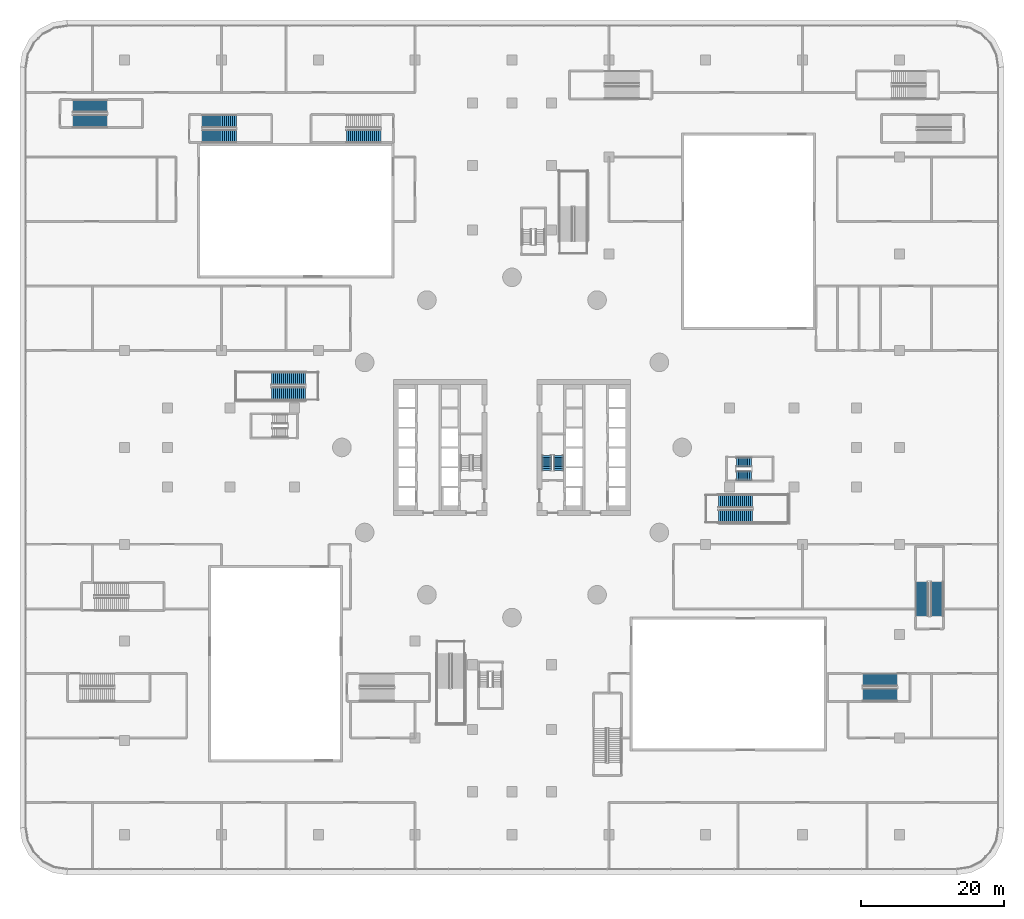
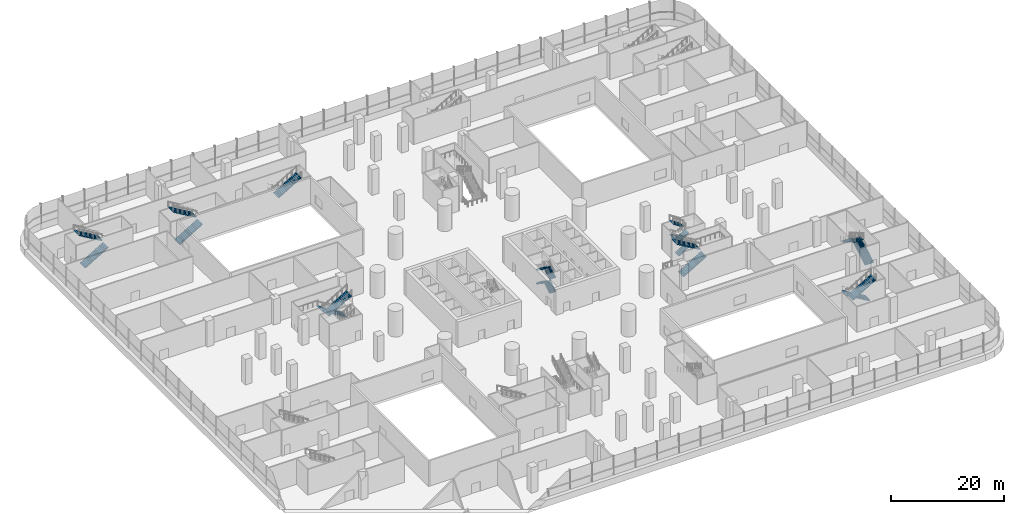
# One storey, part 37 of 52: 21 stair flights, 9 elements without a shape of their own.
"""IFC4 building model written with IfcOpenShell, lengths in metres."""

import ifcopenshell
import ifcopenshell.guid

model = None  # the IFC model being written
_history = None  # IfcOwnerHistory: only IFC2X3 demands one
_inside = {}  # id of a spatial element -> (the spatial element, [elements in it])
_under = {}  # id of a project, library or spatial element -> (it, [spatial elements below it])
_declared = {}  # id of a project -> (the project, [libraries it declares])
_typed = {}  # id of a type object -> (the type object, [elements of that type])
_made_of = {}  # id of a material, layer set ... -> (it, [elements and type objects made of it])


def new_model(schema):
    """Start an empty IFC model of exactly this schema.

    Asked for "IFC4X3", IfcOpenShell would pick the latest addendum, in which some entities
    have other attributes; the version numbers below select the first issue.
    IFC2X3 requires an IfcOwnerHistory on every rooted entity: one is made here for all.
    """
    global model, _history
    if schema == "IFC4X3":
        model = ifcopenshell.file(schema_version=(4, 3, 0, 0))
    else:
        model = ifcopenshell.file(schema=schema)
    _inside.clear()
    _under.clear()
    _declared.clear()
    _typed.clear()
    _made_of.clear()
    _history = None
    if model.schema == "IFC2X3":
        org = make("IfcOrganization", Name="unknown")
        user = make(
            "IfcPersonAndOrganization",
            ThePerson=make("IfcPerson", FamilyName="unknown"),
            TheOrganization=org,
        )
        app = make(
            "IfcApplication",
            ApplicationDeveloper=org,
            Version="unknown",
            ApplicationFullName="unknown",
            ApplicationIdentifier="unknown",
        )
        _history = make(
            "IfcOwnerHistory",
            OwningUser=user,
            OwningApplication=app,
            ChangeAction="ADDED",
            CreationDate=0,
        )
    return model


def make(cls, **values):
    """One entity of the class cls with the attributes given. An attribute that is None is left unset."""
    return model.create_entity(
        cls, **{name: value for name, value in values.items() if value is not None}
    )


def rooted(cls, **values):
    """An entity with a GlobalId (a new one), such as an element, a storey or a relation."""
    return make(cls, GlobalId=ifcopenshell.guid.new(), OwnerHistory=_history, **values)


def si_unit(unit_type, name, prefix=None):
    """IfcSIUnit, for example si_unit("LENGTHUNIT", "METRE", prefix="MILLI")."""
    return make("IfcSIUnit", UnitType=unit_type, Prefix=prefix, Name=name)


def assignment(units):
    """IfcUnitAssignment: the units of a project."""
    return None if units is None else make("IfcUnitAssignment", Units=units)


def point(xyz):
    """IfcCartesianPoint."""
    return None if xyz is None else make("IfcCartesianPoint", Coordinates=xyz)


def direction(xyz):
    """IfcDirection."""
    return None if xyz is None else make("IfcDirection", DirectionRatios=xyz)


def frame(location, z_axis=None, x_axis=None):
    """IfcAxis2Placement3D, a coordinate frame: its origin and axes. An axis left out is left unset."""
    return make(
        "IfcAxis2Placement3D",
        Location=point(location),
        Axis=direction(z_axis),
        RefDirection=direction(x_axis),
    )


def origin():
    """The frame at (0, 0, 0) with its axes left unset."""
    return frame((0.0, 0.0, 0.0))


def place(relative_to, where):
    """IfcLocalPlacement: puts the frame where relative to a parent placement (None: the world)."""
    return make(
        "IfcLocalPlacement", PlacementRelTo=relative_to, RelativePlacement=where
    )


def context(
    kind, dimensions, precision=None, world=None, true_north=None, identifier=None
):
    """IfcGeometricRepresentationContext, for example the 3D "Model" context."""
    return make(
        "IfcGeometricRepresentationContext",
        ContextIdentifier=identifier,
        ContextType=kind,
        CoordinateSpaceDimension=dimensions,
        Precision=precision,
        WorldCoordinateSystem=world,
        TrueNorth=true_north,
    )


def subcontext(parent, identifier, kind, view, scale=None):
    """IfcGeometricRepresentationSubContext, for example "Body" below "Model"."""
    return make(
        "IfcGeometricRepresentationSubContext",
        ContextIdentifier=identifier,
        ContextType=kind,
        ParentContext=parent,
        TargetScale=scale,
        TargetView=view,
    )


def project(units=None, contexts=None):
    """IfcProject with its units and contexts."""
    return rooted(
        "IfcProject",
        Name="project",
        RepresentationContexts=contexts,
        UnitsInContext=assignment(units),
    )


def spatial(cls, under=None, at=None, **own):
    """A site, building, storey or space (cls), placed at a placement, below another one or the project."""
    s = rooted(cls, ObjectPlacement=at, **own)
    if under is not None:
        _under.setdefault(under.id(), (under, []))[1].append(s)
    return s


def polyline(points):
    """IfcPolyline through the points."""
    return make("IfcPolyline", Points=[point(p) for p in points])


def outline(outer, holes=None, kind="AREA"):
    """IfcArbitraryClosedProfileDef: a profile drawn as a closed curve; with holes, ...WithVoids."""
    if holes is None:
        return make("IfcArbitraryClosedProfileDef", ProfileType=kind, OuterCurve=outer)
    return make(
        "IfcArbitraryProfileDefWithVoids",
        ProfileType=kind,
        OuterCurve=outer,
        InnerCurves=holes,
    )


def extrude(swept, where, along, depth):
    """IfcExtrudedAreaSolid: the profile swept, set in the frame where, extruded along a direction by depth."""
    return make(
        "IfcExtrudedAreaSolid",
        SweptArea=swept,
        Position=where,
        ExtrudedDirection=direction(along),
        Depth=depth,
    )


def shape(context_of_items, identifier, shape_type, items):
    """IfcShapeRepresentation: the items that make up one representation, for example the "Body"."""
    return make(
        "IfcShapeRepresentation",
        ContextOfItems=context_of_items,
        RepresentationIdentifier=identifier,
        RepresentationType=shape_type,
        Items=items,
    )


def material(Name=None, Category=None):
    """IfcMaterial."""
    return make("IfcMaterial", Name=Name, Category=Category)


def made_of(thing, what):
    """Note that an element or type object is made of a material, layer set ...; save() writes the relation."""
    if what is not None:
        _made_of.setdefault(what.id(), (what, []))[1].append(thing)
    return thing


def type_object(cls, material=None, **own):
    """A type object (cls), such as IfcWallType, which elements share."""
    return made_of(rooted(cls, **own), material)


def element(
    cls,
    number,
    at=None,
    inside=None,
    cuts=None,
    type_object=None,
    material=None,
    context=None,
    identifier="Body",
    shape_type=None,
    held_by="IfcProductDefinitionShape",
    body=None,
    shapes=None,
    **own,
):
    """One element of the class cls, such as IfcWall. Its Tag is "e" and its number.

    at: its placement. inside: the storey or other place that contains it. cuts: it is an
    opening in that element (IfcRelVoidsElement). A single representation is given by context,
    identifier, shape_type and body (its items); several are given by shapes. held_by: the class
    of the entity that holds the representations. save() writes the other relations.
    """
    e = rooted(cls, Tag="e%d" % number, ObjectPlacement=at, **own)
    if body is not None:
        shapes = [shape(context, identifier, shape_type, body)]
    if shapes is not None:
        e.Representation = make(held_by, Representations=shapes)
    if inside is not None:
        _inside.setdefault(inside.id(), (inside, []))[1].append(e)
    if cuts is not None:
        rooted(
            "IfcRelVoidsElement", RelatingBuildingElement=cuts, RelatedOpeningElement=e
        )
    if type_object is not None:
        _typed.setdefault(type_object.id(), (type_object, []))[1].append(e)
    return made_of(e, material)


def aggregate(whole, parts):
    """IfcRelAggregates: a whole, such as a stair, and the parts it consists of."""
    return rooted("IfcRelAggregates", RelatingObject=whole, RelatedObjects=parts)


def save(model, path):
    """Write the relations noted so far, then the file.

    IfcRelAggregates (storeys below a building ...), IfcRelContainedInSpatialStructure (elements
    in a storey), IfcRelDefinesByType, IfcRelAssociatesMaterial and IfcRelDeclares: one each for
    every whole, place, type object, material and project.
    """
    for whole, parts in _under.values():
        aggregate(whole, parts)
    for where, things in _inside.values():
        rooted(
            "IfcRelContainedInSpatialStructure",
            RelatedElements=things,
            RelatingStructure=where,
        )
    for kind, things in _typed.values():
        rooted("IfcRelDefinesByType", RelatedObjects=things, RelatingType=kind)
    for what, things in _made_of.values():
        rooted("IfcRelAssociatesMaterial", RelatedObjects=things, RelatingMaterial=what)
    for by, libraries in _declared.values():
        rooted("IfcRelDeclares", RelatingContext=by, RelatedDefinitions=libraries)
    model.write(path)


model = new_model("IFC4")

# Units and contexts
model_context = context("Model", 3, precision=1e-05, world=origin(), true_north=direction((0.0, 1.0)))
body_context = subcontext(model_context, "Body", "Model", "MODEL_VIEW")
ifc_project = project(units=[si_unit("LENGTHUNIT", "METRE"), si_unit("AREAUNIT", "SQUARE_METRE"), si_unit("VOLUMEUNIT", "CUBIC_METRE"), si_unit("PLANEANGLEUNIT", "RADIAN"), si_unit("MASSUNIT", "GRAM", prefix="KILO")], contexts=[model_context])

# Site, building, storey
site_placement = place(None, origin())
site = spatial("IfcSite", under=ifc_project, at=site_placement, CompositionType="ELEMENT")
building_placement = place(site_placement, origin())
building = spatial("IfcBuilding", under=site, at=building_placement, Name="Tamarind Cross Interchange Tower", CompositionType="ELEMENT")
storey_placement = place(building_placement, frame((0.0, 0.0, 9.0)))
storey = spatial("IfcBuildingStorey", under=building, at=storey_placement, Name="L01", CompositionType="ELEMENT", Elevation=9.0)

# Stair, stair flights
ifc_material_1 = material(Name="Exit stair")
stair_type_1 = type_object("IfcStairType", Name="Exit stair", PredefinedType="HALF_TURN_STAIR", material=ifc_material_1)
stair_1_placement = place(storey_placement, origin())
stair_1 = element("IfcStair", 1, at=stair_1_placement, inside=storey, type_object=stair_type_1, Name="L01 exit stair ST2", PredefinedType="HALF_TURN_STAIR")
ifc_material_2 = material(Name="Exit stair flight")
stair_flight_type_1 = type_object("IfcStairFlightType", Name="Exit stair flight", PredefinedType="STRAIGHT", material=ifc_material_2)
stair_flight_1_placement = place(storey_placement, frame((6.5, -3.199951171875, 0.0), z_axis=(0.0, 0.0, 1.0), x_axis=(0.0, 1.0, 0.0)))
stair_flight_1 = element("IfcStairFlight", 2, at=stair_flight_1_placement, type_object=stair_flight_type_1, Name="ST2 flight 1", NumberOfRisers=9, NumberOfTreads=8, PredefinedType="STRAIGHT", RiserHeight=0.166666667, TreadLength=0.26, context=body_context, shape_type="SweptSolid", body=[
    extrude(outline(polyline([(0.0, 0.0), (0.0, 0.166748046875), (0.260009765625, 0.166748046875), (0.260009765625, 0.333251953125), (0.52001953125, 0.333251953125), (0.52001953125, 0.5), (0.780029296875, 0.5), (0.780029296875, 0.666748046875), (1.0400390625, 0.666748046875), (1.0400390625, 0.833251953125), (1.300048828125, 0.833251953125), (1.300048828125, 1.0), (1.56005859375, 1.0), (1.56005859375, 1.166748046875), (1.820068359375, 1.166748046875), (1.820068359375, 1.333251953125), (2.080078125, 1.333251953125), (2.080078125, 1.5), (2.080078125, 1.1552734375), (0.27783203125, 0.0), (0.0, 0.0)])), frame((0.0, 0.64990234375, 0.0), z_axis=(0.0, -1.0, 0.0), x_axis=(1.0, 0.0, 0.0)), (0.0, 0.0, 1.0), 1.300048828125),
])
stair_flight_2_placement = place(storey_placement, frame((4.85009765625, -1.1201171875, 1.5), z_axis=(0.0, 0.0, 1.0), x_axis=(0.0, -1.0, 0.0)))
stair_flight_2 = element("IfcStairFlight", 3, at=stair_flight_2_placement, type_object=stair_flight_type_1, Name="ST2 flight 2", NumberOfRisers=9, NumberOfTreads=8, PredefinedType="STRAIGHT", RiserHeight=0.166666667, TreadLength=0.26, context=body_context, shape_type="SweptSolid", body=[
    extrude(outline(polyline([(0.0, 0.0), (0.0, 0.166748046875), (0.260009765625, 0.166748046875), (0.260009765625, 0.333251953125), (0.52001953125, 0.333251953125), (0.52001953125, 0.5), (0.780029296875, 0.5), (0.780029296875, 0.666748046875), (1.0400390625, 0.666748046875), (1.0400390625, 0.833251953125), (1.300048828125, 0.833251953125), (1.300048828125, 1.0), (1.56005859375, 1.0), (1.56005859375, 1.166748046875), (1.820068359375, 1.166748046875), (1.820068359375, 1.333251953125), (2.080078125, 1.333251953125), (2.080078125, 1.5), (2.080078125, 1.1552734375), (0.27783203125, 0.0), (0.0, 0.0)])), frame((0.0, 0.64990234375, 0.0), z_axis=(0.0, -1.0, 0.0), x_axis=(1.0, 0.0, 0.0)), (0.0, 0.0, 1.0), 1.300048828125),
])
stair_flight_3_placement = place(storey_placement, frame((6.5, -3.199951171875, 3.0), z_axis=(0.0, 0.0, 1.0), x_axis=(0.0, 1.0, 0.0)))
stair_flight_3 = element("IfcStairFlight", 4, at=stair_flight_3_placement, type_object=stair_flight_type_1, Name="ST2 flight 3", NumberOfRisers=9, NumberOfTreads=8, PredefinedType="STRAIGHT", RiserHeight=0.166666667, TreadLength=0.26, context=body_context, shape_type="SweptSolid", body=[
    extrude(outline(polyline([(0.0, 0.0), (0.0, 0.166748046875), (0.260009765625, 0.166748046875), (0.260009765625, 0.333251953125), (0.52001953125, 0.333251953125), (0.52001953125, 0.5), (0.780029296875, 0.5), (0.780029296875, 0.666748046875), (1.0400390625, 0.666748046875), (1.0400390625, 0.833251953125), (1.300048828125, 0.833251953125), (1.300048828125, 1.0), (1.56005859375, 1.0), (1.56005859375, 1.166748046875), (1.820068359375, 1.166748046875), (1.820068359375, 1.333251953125), (2.080078125, 1.333251953125), (2.080078125, 1.5), (2.080078125, 1.1552734375), (0.27783203125, 0.0), (0.0, 0.0)])), frame((0.0, 0.64990234375, 0.0), z_axis=(0.0, -1.0, 0.0), x_axis=(1.0, 0.0, 0.0)), (0.0, 0.0, 1.0), 1.300048828125),
])
stair_flight_4_placement = place(storey_placement, frame((4.85009765625, -1.1201171875, 4.5), z_axis=(0.0, 0.0, 1.0), x_axis=(0.0, -1.0, 0.0)))
stair_flight_4 = element("IfcStairFlight", 5, at=stair_flight_4_placement, type_object=stair_flight_type_1, Name="ST2 flight 4", NumberOfRisers=9, NumberOfTreads=8, PredefinedType="STRAIGHT", RiserHeight=0.166666667, TreadLength=0.26, context=body_context, shape_type="SweptSolid", body=[
    extrude(outline(polyline([(0.0, 0.0), (0.0, 0.166748046875), (0.260009765625, 0.166748046875), (0.260009765625, 0.333251953125), (0.52001953125, 0.333251953125), (0.52001953125, 0.5), (0.780029296875, 0.5), (0.780029296875, 0.666748046875), (1.0400390625, 0.666748046875), (1.0400390625, 0.833251953125), (1.300048828125, 0.833251953125), (1.300048828125, 1.0), (1.56005859375, 1.0), (1.56005859375, 1.166748046875), (1.820068359375, 1.166748046875), (1.820068359375, 1.333251953125), (2.080078125, 1.333251953125), (2.080078125, 1.5), (2.080078125, 1.1552734375), (0.27783203125, 0.0), (0.0, 0.0)])), frame((0.0, 0.64990234375, 0.0), z_axis=(0.0, -1.0, 0.0), x_axis=(1.0, 0.0, 0.0)), (0.0, 0.0, 1.0), 1.300048828125),
])
aggregate(stair_1, [stair_flight_1, stair_flight_2, stair_flight_3, stair_flight_4])

stair_2_placement = place(storey_placement, origin())
stair_2 = element("IfcStair", 6, at=stair_2_placement, inside=storey, type_object=stair_type_1, Name="L01 exit stair ST3", PredefinedType="HALF_TURN_STAIR")
stair_flight_5_placement = place(storey_placement, frame((31.300048828125, -3.949951171875, 0.0), z_axis=(0.0, 0.0, 1.0), x_axis=(1.0, 0.0, 0.0)))
stair_flight_5 = element("IfcStairFlight", 7, at=stair_flight_5_placement, type_object=stair_flight_type_1, Name="ST3 flight 1", NumberOfRisers=9, NumberOfTreads=8, PredefinedType="STRAIGHT", RiserHeight=0.166666667, TreadLength=0.26, context=body_context, shape_type="SweptSolid", body=[
    extrude(outline(polyline([(0.0, 0.0), (0.0, 0.166748046875), (0.260009765625, 0.166748046875), (0.260009765625, 0.333251953125), (0.52001953125, 0.333251953125), (0.52001953125, 0.5), (0.780029296875, 0.5), (0.780029296875, 0.666748046875), (1.0400390625, 0.666748046875), (1.0400390625, 0.833251953125), (1.300048828125, 0.833251953125), (1.300048828125, 1.0), (1.56005859375, 1.0), (1.56005859375, 1.166748046875), (1.820068359375, 1.166748046875), (1.820068359375, 1.333251953125), (2.080078125, 1.333251953125), (2.080078125, 1.5), (2.080078125, 1.1552734375), (0.27783203125, 0.0), (0.0, 0.0)])), frame((0.0, 0.64990234375, 0.0), z_axis=(0.0, -1.0, 0.0), x_axis=(1.0, 0.0, 0.0)), (0.0, 0.0, 1.0), 1.300048828125),
])
stair_flight_6_placement = place(storey_placement, frame((33.3798828125, -2.050048828125, 1.5), z_axis=(0.0, 0.0, 1.0), x_axis=(-1.0, 0.0, 0.0)))
stair_flight_6 = element("IfcStairFlight", 8, at=stair_flight_6_placement, type_object=stair_flight_type_1, Name="ST3 flight 2", NumberOfRisers=9, NumberOfTreads=8, PredefinedType="STRAIGHT", RiserHeight=0.166666667, TreadLength=0.26, context=body_context, shape_type="SweptSolid", body=[
    extrude(outline(polyline([(0.0, 0.0), (0.0, 0.166748046875), (0.260009765625, 0.166748046875), (0.260009765625, 0.333251953125), (0.52001953125, 0.333251953125), (0.52001953125, 0.5), (0.780029296875, 0.5), (0.780029296875, 0.666748046875), (1.0400390625, 0.666748046875), (1.0400390625, 0.833251953125), (1.300048828125, 0.833251953125), (1.300048828125, 1.0), (1.56005859375, 1.0), (1.56005859375, 1.166748046875), (1.820068359375, 1.166748046875), (1.820068359375, 1.333251953125), (2.080078125, 1.333251953125), (2.080078125, 1.5), (2.080078125, 1.1552734375), (0.27783203125, 0.0), (0.0, 0.0)])), frame((0.0, 0.64990234375, 0.0), z_axis=(0.0, -1.0, 0.0), x_axis=(1.0, 0.0, 0.0)), (0.0, 0.0, 1.0), 1.300048828125),
])
stair_flight_7_placement = place(storey_placement, frame((31.300048828125, -3.949951171875, 3.0), z_axis=(0.0, 0.0, 1.0), x_axis=(1.0, 0.0, 0.0)))
stair_flight_7 = element("IfcStairFlight", 9, at=stair_flight_7_placement, type_object=stair_flight_type_1, Name="ST3 flight 3", NumberOfRisers=9, NumberOfTreads=8, PredefinedType="STRAIGHT", RiserHeight=0.166666667, TreadLength=0.26, context=body_context, shape_type="SweptSolid", body=[
    extrude(outline(polyline([(0.0, 0.0), (0.0, 0.166748046875), (0.260009765625, 0.166748046875), (0.260009765625, 0.333251953125), (0.52001953125, 0.333251953125), (0.52001953125, 0.5), (0.780029296875, 0.5), (0.780029296875, 0.666748046875), (1.0400390625, 0.666748046875), (1.0400390625, 0.833251953125), (1.300048828125, 0.833251953125), (1.300048828125, 1.0), (1.56005859375, 1.0), (1.56005859375, 1.166748046875), (1.820068359375, 1.166748046875), (1.820068359375, 1.333251953125), (2.080078125, 1.333251953125), (2.080078125, 1.5), (2.080078125, 1.1552734375), (0.27783203125, 0.0), (0.0, 0.0)])), frame((0.0, 0.64990234375, 0.0), z_axis=(0.0, -1.0, 0.0), x_axis=(1.0, 0.0, 0.0)), (0.0, 0.0, 1.0), 1.300048828125),
])
stair_flight_8_placement = place(storey_placement, frame((33.3798828125, -2.050048828125, 4.5), z_axis=(0.0, 0.0, 1.0), x_axis=(-1.0, 0.0, 0.0)))
stair_flight_8 = element("IfcStairFlight", 10, at=stair_flight_8_placement, type_object=stair_flight_type_1, Name="ST3 flight 4", NumberOfRisers=9, NumberOfTreads=8, PredefinedType="STRAIGHT", RiserHeight=0.166666667, TreadLength=0.26, context=body_context, shape_type="SweptSolid", body=[
    extrude(outline(polyline([(0.0, 0.0), (0.0, 0.166748046875), (0.260009765625, 0.166748046875), (0.260009765625, 0.333251953125), (0.52001953125, 0.333251953125), (0.52001953125, 0.5), (0.780029296875, 0.5), (0.780029296875, 0.666748046875), (1.0400390625, 0.666748046875), (1.0400390625, 0.833251953125), (1.300048828125, 0.833251953125), (1.300048828125, 1.0), (1.56005859375, 1.0), (1.56005859375, 1.166748046875), (1.820068359375, 1.166748046875), (1.820068359375, 1.333251953125), (2.080078125, 1.333251953125), (2.080078125, 1.5), (2.080078125, 1.1552734375), (0.27783203125, 0.0), (0.0, 0.0)])), frame((0.0, 0.64990234375, 0.0), z_axis=(0.0, -1.0, 0.0), x_axis=(1.0, 0.0, 0.0)), (0.0, 0.0, 1.0), 1.300048828125),
])
aggregate(stair_2, [stair_flight_5, stair_flight_6, stair_flight_7, stair_flight_8])

ifc_material_3 = material(Name="Public stair")
stair_type_2 = type_object("IfcStairType", Name="Public stair", PredefinedType="HALF_TURN_STAIR", material=ifc_material_3)
stair_3_placement = place(storey_placement, origin())
stair_3 = element("IfcStair", 11, at=stair_3_placement, inside=storey, type_object=stair_type_2, Name="L01 public stair PS-E", PredefinedType="HALF_TURN_STAIR")
ifc_material_4 = material(Name="Public stair flight")
stair_flight_type_2 = type_object("IfcStairFlightType", Name="Public stair flight", PredefinedType="STRAIGHT", material=ifc_material_4)
stair_flight_9_placement = place(storey_placement, frame((28.800048828125, -9.60009765625, 0.0), z_axis=(0.0, 0.0, 1.0), x_axis=(1.0, 0.0, 0.0)))
stair_flight_9 = element("IfcStairFlight", 12, at=stair_flight_9_placement, type_object=stair_flight_type_2, Name="PS-E flight 1", NumberOfRisers=18, NumberOfTreads=17, PredefinedType="STRAIGHT", RiserHeight=0.166666667, TreadLength=0.28, context=body_context, shape_type="SweptSolid", body=[
    extrude(outline(polyline([(0.0, 0.0), (0.0, 0.166748046875), (0.280029296875, 0.166748046875), (0.280029296875, 0.333251953125), (0.56005859375, 0.333251953125), (0.56005859375, 0.5), (0.840087890625, 0.5), (0.840087890625, 0.666748046875), (1.1201171875, 0.666748046875), (1.1201171875, 0.833251953125), (1.39990234375, 0.833251953125), (1.39990234375, 1.0), (1.679931640625, 1.0), (1.679931640625, 1.166748046875), (1.9599609375, 1.166748046875), (1.9599609375, 1.333251953125), (2.239990234375, 1.333251953125), (2.239990234375, 1.5), (2.52001953125, 1.5), (2.52001953125, 1.666748046875), (2.800048828125, 1.666748046875), (2.800048828125, 1.833251953125), (3.080078125, 1.833251953125), (3.080078125, 2.0), (3.360107421875, 2.0), (3.360107421875, 2.166748046875), (3.639892578125, 2.166748046875), (3.639892578125, 2.333251953125), (3.919921875, 2.333251953125), (3.919921875, 2.5), (4.199951171875, 2.5), (4.199951171875, 2.666748046875), (4.47998046875, 2.666748046875), (4.47998046875, 2.833251953125), (4.760009765625, 2.833251953125), (4.760009765625, 3.0), (4.760009765625, 2.658935546875), (0.29296875, 0.0), (0.0, 0.0)])), frame((0.0, 0.89990234375, 0.0), z_axis=(0.0, -1.0, 0.0), x_axis=(1.0, 0.0, 0.0)), (0.0, 0.0, 1.0), 1.800048828125),
])
stair_flight_10_placement = place(storey_placement, frame((33.56005859375, -7.5, 3.0), z_axis=(0.0, 0.0, 1.0), x_axis=(-1.0, 0.0, 0.0)))
stair_flight_10 = element("IfcStairFlight", 13, at=stair_flight_10_placement, type_object=stair_flight_type_2, Name="PS-E flight 2", NumberOfRisers=18, NumberOfTreads=17, PredefinedType="STRAIGHT", RiserHeight=0.166666667, TreadLength=0.28, context=body_context, shape_type="SweptSolid", body=[
    extrude(outline(polyline([(0.0, 0.0), (0.0, 0.166748046875), (0.280029296875, 0.166748046875), (0.280029296875, 0.333251953125), (0.56005859375, 0.333251953125), (0.56005859375, 0.5), (0.840087890625, 0.5), (0.840087890625, 0.666748046875), (1.1201171875, 0.666748046875), (1.1201171875, 0.833251953125), (1.39990234375, 0.833251953125), (1.39990234375, 1.0), (1.679931640625, 1.0), (1.679931640625, 1.166748046875), (1.9599609375, 1.166748046875), (1.9599609375, 1.333251953125), (2.239990234375, 1.333251953125), (2.239990234375, 1.5), (2.52001953125, 1.5), (2.52001953125, 1.666748046875), (2.800048828125, 1.666748046875), (2.800048828125, 1.833251953125), (3.080078125, 1.833251953125), (3.080078125, 2.0), (3.360107421875, 2.0), (3.360107421875, 2.166748046875), (3.639892578125, 2.166748046875), (3.639892578125, 2.333251953125), (3.919921875, 2.333251953125), (3.919921875, 2.5), (4.199951171875, 2.5), (4.199951171875, 2.666748046875), (4.47998046875, 2.666748046875), (4.47998046875, 2.833251953125), (4.760009765625, 2.833251953125), (4.760009765625, 3.0), (4.760009765625, 2.658935546875), (0.29296875, 0.0), (0.0, 0.0)])), frame((0.0, 0.89990234375, 0.0), z_axis=(0.0, -1.0, 0.0), x_axis=(1.0, 0.0, 0.0)), (0.0, 0.0, 1.0), 1.800048828125),
])
aggregate(stair_3, [stair_flight_9, stair_flight_10])

stair_4_placement = place(storey_placement, origin())
stair_4 = element("IfcStair", 14, at=stair_4_placement, inside=storey, type_object=stair_type_2, Name="L01 public stair PS-W", PredefinedType="HALF_TURN_STAIR")
stair_flight_11_placement = place(storey_placement, frame((-28.800048828125, 9.60009765625, 0.0), z_axis=(0.0, 0.0, 1.0), x_axis=(-1.0, 0.0, 0.0)))
stair_flight_11 = element("IfcStairFlight", 15, at=stair_flight_11_placement, type_object=stair_flight_type_2, Name="PS-W flight 1", NumberOfRisers=18, NumberOfTreads=17, PredefinedType="STRAIGHT", RiserHeight=0.166666667, TreadLength=0.28, context=body_context, shape_type="SweptSolid", body=[
    extrude(outline(polyline([(0.0, 0.0), (0.0, 0.166748046875), (0.280029296875, 0.166748046875), (0.280029296875, 0.333251953125), (0.56005859375, 0.333251953125), (0.56005859375, 0.5), (0.840087890625, 0.5), (0.840087890625, 0.666748046875), (1.1201171875, 0.666748046875), (1.1201171875, 0.833251953125), (1.39990234375, 0.833251953125), (1.39990234375, 1.0), (1.679931640625, 1.0), (1.679931640625, 1.166748046875), (1.9599609375, 1.166748046875), (1.9599609375, 1.333251953125), (2.239990234375, 1.333251953125), (2.239990234375, 1.5), (2.52001953125, 1.5), (2.52001953125, 1.666748046875), (2.800048828125, 1.666748046875), (2.800048828125, 1.833251953125), (3.080078125, 1.833251953125), (3.080078125, 2.0), (3.360107421875, 2.0), (3.360107421875, 2.166748046875), (3.639892578125, 2.166748046875), (3.639892578125, 2.333251953125), (3.919921875, 2.333251953125), (3.919921875, 2.5), (4.199951171875, 2.5), (4.199951171875, 2.666748046875), (4.47998046875, 2.666748046875), (4.47998046875, 2.833251953125), (4.760009765625, 2.833251953125), (4.760009765625, 3.0), (4.760009765625, 2.658935546875), (0.29296875, 0.0), (0.0, 0.0)])), frame((0.0, 0.89990234375, 0.0), z_axis=(0.0, -1.0, 0.0), x_axis=(1.0, 0.0, 0.0)), (0.0, 0.0, 1.0), 1.800048828125),
])
stair_flight_12_placement = place(storey_placement, frame((-33.56005859375, 7.5, 3.0), z_axis=(0.0, 0.0, 1.0), x_axis=(1.0, 0.0, 0.0)))
stair_flight_12 = element("IfcStairFlight", 16, at=stair_flight_12_placement, type_object=stair_flight_type_2, Name="PS-W flight 2", NumberOfRisers=18, NumberOfTreads=17, PredefinedType="STRAIGHT", RiserHeight=0.166666667, TreadLength=0.28, context=body_context, shape_type="SweptSolid", body=[
    extrude(outline(polyline([(0.0, 0.0), (0.0, 0.166748046875), (0.280029296875, 0.166748046875), (0.280029296875, 0.333251953125), (0.56005859375, 0.333251953125), (0.56005859375, 0.5), (0.840087890625, 0.5), (0.840087890625, 0.666748046875), (1.1201171875, 0.666748046875), (1.1201171875, 0.833251953125), (1.39990234375, 0.833251953125), (1.39990234375, 1.0), (1.679931640625, 1.0), (1.679931640625, 1.166748046875), (1.9599609375, 1.166748046875), (1.9599609375, 1.333251953125), (2.239990234375, 1.333251953125), (2.239990234375, 1.5), (2.52001953125, 1.5), (2.52001953125, 1.666748046875), (2.800048828125, 1.666748046875), (2.800048828125, 1.833251953125), (3.080078125, 1.833251953125), (3.080078125, 2.0), (3.360107421875, 2.0), (3.360107421875, 2.166748046875), (3.639892578125, 2.166748046875), (3.639892578125, 2.333251953125), (3.919921875, 2.333251953125), (3.919921875, 2.5), (4.199951171875, 2.5), (4.199951171875, 2.666748046875), (4.47998046875, 2.666748046875), (4.47998046875, 2.833251953125), (4.760009765625, 2.833251953125), (4.760009765625, 3.0), (4.760009765625, 2.658935546875), (0.29296875, 0.0), (0.0, 0.0)])), frame((0.0, 0.89990234375, 0.0), z_axis=(0.0, -1.0, 0.0), x_axis=(1.0, 0.0, 0.0)), (0.0, 0.0, 1.0), 1.800048828125),
])
aggregate(stair_4, [stair_flight_11, stair_flight_12])

stair_5_placement = place(storey_placement, origin())
stair_5 = element("IfcStair", 17, at=stair_5_placement, inside=storey, type_object=stair_type_2, Name="L01 exit stair XS-P04", PredefinedType="HALF_TURN_STAIR")
stair_flight_13_placement = place(storey_placement, frame((-43.199951171875, 43.39990234375, 0.0), z_axis=(0.0, 0.0, 1.0), x_axis=(1.0, 0.0, 0.0)))
stair_flight_13 = element("IfcStairFlight", 18, at=stair_flight_13_placement, type_object=stair_flight_type_2, Name="XS-P04 flight 1", NumberOfRisers=18, NumberOfTreads=17, PredefinedType="STRAIGHT", RiserHeight=0.166666667, TreadLength=0.28, context=body_context, shape_type="SweptSolid", body=[
    extrude(outline(polyline([(0.0, 0.0), (0.0, 0.166748046875), (0.280029296875, 0.166748046875), (0.280029296875, 0.333251953125), (0.56005859375, 0.333251953125), (0.56005859375, 0.5), (0.840087890625, 0.5), (0.840087890625, 0.666748046875), (1.1201171875, 0.666748046875), (1.1201171875, 0.833251953125), (1.39990234375, 0.833251953125), (1.39990234375, 1.0), (1.679931640625, 1.0), (1.679931640625, 1.166748046875), (1.9599609375, 1.166748046875), (1.9599609375, 1.333251953125), (2.239990234375, 1.333251953125), (2.239990234375, 1.5), (2.52001953125, 1.5), (2.52001953125, 1.666748046875), (2.800048828125, 1.666748046875), (2.800048828125, 1.833251953125), (3.080078125, 1.833251953125), (3.080078125, 2.0), (3.360107421875, 2.0), (3.360107421875, 2.166748046875), (3.639892578125, 2.166748046875), (3.639892578125, 2.333251953125), (3.919921875, 2.333251953125), (3.919921875, 2.5), (4.199951171875, 2.5), (4.199951171875, 2.666748046875), (4.47998046875, 2.666748046875), (4.47998046875, 2.833251953125), (4.760009765625, 2.833251953125), (4.760009765625, 3.0), (4.760009765625, 2.658935546875), (0.29296875, 0.0), (0.0, 0.0)])), frame((0.0, 0.89990234375, 0.0), z_axis=(0.0, -1.0, 0.0), x_axis=(1.0, 0.0, 0.0)), (0.0, 0.0, 1.0), 1.800048828125),
])
stair_flight_14_placement = place(storey_placement, frame((-38.43994140625, 45.5, 3.0), z_axis=(0.0, 0.0, 1.0), x_axis=(-1.0, 0.0, 0.0)))
stair_flight_14 = element("IfcStairFlight", 19, at=stair_flight_14_placement, type_object=stair_flight_type_2, Name="XS-P04 flight 2", NumberOfRisers=18, NumberOfTreads=17, PredefinedType="STRAIGHT", RiserHeight=0.166666667, TreadLength=0.28, context=body_context, shape_type="SweptSolid", body=[
    extrude(outline(polyline([(0.0, 0.0), (0.0, 0.166748046875), (0.280029296875, 0.166748046875), (0.280029296875, 0.333251953125), (0.56005859375, 0.333251953125), (0.56005859375, 0.5), (0.840087890625, 0.5), (0.840087890625, 0.666748046875), (1.1201171875, 0.666748046875), (1.1201171875, 0.833251953125), (1.39990234375, 0.833251953125), (1.39990234375, 1.0), (1.679931640625, 1.0), (1.679931640625, 1.166748046875), (1.9599609375, 1.166748046875), (1.9599609375, 1.333251953125), (2.239990234375, 1.333251953125), (2.239990234375, 1.5), (2.52001953125, 1.5), (2.52001953125, 1.666748046875), (2.800048828125, 1.666748046875), (2.800048828125, 1.833251953125), (3.080078125, 1.833251953125), (3.080078125, 2.0), (3.360107421875, 2.0), (3.360107421875, 2.166748046875), (3.639892578125, 2.166748046875), (3.639892578125, 2.333251953125), (3.919921875, 2.333251953125), (3.919921875, 2.5), (4.199951171875, 2.5), (4.199951171875, 2.666748046875), (4.47998046875, 2.666748046875), (4.47998046875, 2.833251953125), (4.760009765625, 2.833251953125), (4.760009765625, 3.0), (4.760009765625, 2.658935546875), (0.29296875, 0.0), (0.0, 0.0)])), frame((0.0, 0.89990234375, 0.0), z_axis=(0.0, -1.0, 0.0), x_axis=(1.0, 0.0, 0.0)), (0.0, 0.0, 1.0), 1.800048828125),
])
aggregate(stair_5, [stair_flight_13, stair_flight_14])

stair_6_placement = place(storey_placement, origin())
stair_6 = element("IfcStair", 20, at=stair_6_placement, inside=storey, type_object=stair_type_2, Name="L01 exit stair XS-P05", PredefinedType="HALF_TURN_STAIR")
stair_flight_15_placement = place(storey_placement, frame((-61.199951171875, 45.5, 0.0), z_axis=(0.0, 0.0, 1.0), x_axis=(1.0, 0.0, 0.0)))
stair_flight_15 = element("IfcStairFlight", 21, at=stair_flight_15_placement, type_object=stair_flight_type_2, Name="XS-P05 flight 1", NumberOfRisers=18, NumberOfTreads=17, PredefinedType="STRAIGHT", RiserHeight=0.166666667, TreadLength=0.28, context=body_context, shape_type="SweptSolid", body=[
    extrude(outline(polyline([(0.0, 0.0), (0.0, 0.166748046875), (0.280029296875, 0.166748046875), (0.280029296875, 0.333251953125), (0.56005859375, 0.333251953125), (0.56005859375, 0.5), (0.840087890625, 0.5), (0.840087890625, 0.666748046875), (1.1201171875, 0.666748046875), (1.1201171875, 0.833251953125), (1.39990234375, 0.833251953125), (1.39990234375, 1.0), (1.679931640625, 1.0), (1.679931640625, 1.166748046875), (1.9599609375, 1.166748046875), (1.9599609375, 1.333251953125), (2.239990234375, 1.333251953125), (2.239990234375, 1.5), (2.52001953125, 1.5), (2.52001953125, 1.666748046875), (2.800048828125, 1.666748046875), (2.800048828125, 1.833251953125), (3.080078125, 1.833251953125), (3.080078125, 2.0), (3.360107421875, 2.0), (3.360107421875, 2.166748046875), (3.639892578125, 2.166748046875), (3.639892578125, 2.333251953125), (3.919921875, 2.333251953125), (3.919921875, 2.5), (4.199951171875, 2.5), (4.199951171875, 2.666748046875), (4.47998046875, 2.666748046875), (4.47998046875, 2.833251953125), (4.760009765625, 2.833251953125), (4.760009765625, 3.0), (4.760009765625, 2.658935546875), (0.29296875, 0.0), (0.0, 0.0)])), frame((0.0, 0.89990234375, 0.0), z_axis=(0.0, -1.0, 0.0), x_axis=(1.0, 0.0, 0.0)), (0.0, 0.0, 1.0), 1.800048828125),
])
stair_flight_16_placement = place(storey_placement, frame((-56.43994140625, 47.60009765625, 3.0), z_axis=(0.0, 0.0, 1.0), x_axis=(-1.0, 0.0, 0.0)))
stair_flight_16 = element("IfcStairFlight", 22, at=stair_flight_16_placement, type_object=stair_flight_type_2, Name="XS-P05 flight 2", NumberOfRisers=18, NumberOfTreads=17, PredefinedType="STRAIGHT", RiserHeight=0.166666667, TreadLength=0.28, context=body_context, shape_type="SweptSolid", body=[
    extrude(outline(polyline([(0.0, 0.0), (0.0, 0.166748046875), (0.280029296875, 0.166748046875), (0.280029296875, 0.333251953125), (0.56005859375, 0.333251953125), (0.56005859375, 0.5), (0.840087890625, 0.5), (0.840087890625, 0.666748046875), (1.1201171875, 0.666748046875), (1.1201171875, 0.833251953125), (1.39990234375, 0.833251953125), (1.39990234375, 1.0), (1.679931640625, 1.0), (1.679931640625, 1.166748046875), (1.9599609375, 1.166748046875), (1.9599609375, 1.333251953125), (2.239990234375, 1.333251953125), (2.239990234375, 1.5), (2.52001953125, 1.5), (2.52001953125, 1.666748046875), (2.800048828125, 1.666748046875), (2.800048828125, 1.833251953125), (3.080078125, 1.833251953125), (3.080078125, 2.0), (3.360107421875, 2.0), (3.360107421875, 2.166748046875), (3.639892578125, 2.166748046875), (3.639892578125, 2.333251953125), (3.919921875, 2.333251953125), (3.919921875, 2.5), (4.199951171875, 2.5), (4.199951171875, 2.666748046875), (4.47998046875, 2.666748046875), (4.47998046875, 2.833251953125), (4.760009765625, 2.833251953125), (4.760009765625, 3.0), (4.760009765625, 2.658935546875), (0.29296875, 0.0), (0.0, 0.0)])), frame((0.0, 0.89990234375, 0.0), z_axis=(0.0, -1.0, 0.0), x_axis=(1.0, 0.0, 0.0)), (0.0, 0.0, 1.0), 1.800048828125),
])
aggregate(stair_6, [stair_flight_15, stair_flight_16])

# Stair, stair flight
stair_7_placement = place(storey_placement, origin())
stair_7 = element("IfcStair", 23, at=stair_7_placement, inside=storey, type_object=stair_type_2, Name="L01 exit stair XS-P06", PredefinedType="HALF_TURN_STAIR")
stair_flight_17_placement = place(storey_placement, frame((-23.06005859375, 43.39990234375, 3.0), z_axis=(0.0, 0.0, 1.0), x_axis=(1.0, 0.0, 0.0)))
stair_flight_17 = element("IfcStairFlight", 24, at=stair_flight_17_placement, type_object=stair_flight_type_2, Name="XS-P06 flight 2", NumberOfRisers=18, NumberOfTreads=17, PredefinedType="STRAIGHT", RiserHeight=0.166666667, TreadLength=0.28, context=body_context, shape_type="SweptSolid", body=[
    extrude(outline(polyline([(0.0, 0.0), (0.0, 0.166748046875), (0.280029296875, 0.166748046875), (0.280029296875, 0.333251953125), (0.56005859375, 0.333251953125), (0.56005859375, 0.5), (0.840087890625, 0.5), (0.840087890625, 0.666748046875), (1.1201171875, 0.666748046875), (1.1201171875, 0.833251953125), (1.39990234375, 0.833251953125), (1.39990234375, 1.0), (1.679931640625, 1.0), (1.679931640625, 1.166748046875), (1.9599609375, 1.166748046875), (1.9599609375, 1.333251953125), (2.239990234375, 1.333251953125), (2.239990234375, 1.5), (2.52001953125, 1.5), (2.52001953125, 1.666748046875), (2.800048828125, 1.666748046875), (2.800048828125, 1.833251953125), (3.080078125, 1.833251953125), (3.080078125, 2.0), (3.360107421875, 2.0), (3.360107421875, 2.166748046875), (3.639892578125, 2.166748046875), (3.639892578125, 2.333251953125), (3.919921875, 2.333251953125), (3.919921875, 2.5), (4.199951171875, 2.5), (4.199951171875, 2.666748046875), (4.47998046875, 2.666748046875), (4.47998046875, 2.833251953125), (4.760009765625, 2.833251953125), (4.760009765625, 3.0), (4.760009765625, 2.658935546875), (0.29296875, 0.0), (0.0, 0.0)])), frame((0.0, 0.89990234375, 0.0), z_axis=(0.0, -1.0, 0.0), x_axis=(1.0, 0.0, 0.0)), (0.0, 0.0, 1.0), 1.800048828125),
])
aggregate(stair_7, [stair_flight_17])

# Stair, stair flights
stair_8_placement = place(storey_placement, origin())
stair_8 = element("IfcStair", 25, at=stair_8_placement, inside=storey, type_object=stair_type_2, Name="L01 exit stair XS-P10", PredefinedType="HALF_TURN_STAIR")
stair_flight_18_placement = place(storey_placement, frame((53.699951171875, -32.39990234375, 0.0), z_axis=(0.0, 0.0, 1.0), x_axis=(-1.0, 0.0, 0.0)))
stair_flight_18 = element("IfcStairFlight", 26, at=stair_flight_18_placement, type_object=stair_flight_type_2, Name="XS-P10 flight 1", NumberOfRisers=18, NumberOfTreads=17, PredefinedType="STRAIGHT", RiserHeight=0.166666667, TreadLength=0.28, context=body_context, shape_type="SweptSolid", body=[
    extrude(outline(polyline([(0.0, 0.0), (0.0, 0.166748046875), (0.280029296875, 0.166748046875), (0.280029296875, 0.333251953125), (0.56005859375, 0.333251953125), (0.56005859375, 0.5), (0.840087890625, 0.5), (0.840087890625, 0.666748046875), (1.1201171875, 0.666748046875), (1.1201171875, 0.833251953125), (1.39990234375, 0.833251953125), (1.39990234375, 1.0), (1.679931640625, 1.0), (1.679931640625, 1.166748046875), (1.9599609375, 1.166748046875), (1.9599609375, 1.333251953125), (2.239990234375, 1.333251953125), (2.239990234375, 1.5), (2.52001953125, 1.5), (2.52001953125, 1.666748046875), (2.800048828125, 1.666748046875), (2.800048828125, 1.833251953125), (3.080078125, 1.833251953125), (3.080078125, 2.0), (3.360107421875, 2.0), (3.360107421875, 2.166748046875), (3.639892578125, 2.166748046875), (3.639892578125, 2.333251953125), (3.919921875, 2.333251953125), (3.919921875, 2.5), (4.199951171875, 2.5), (4.199951171875, 2.666748046875), (4.47998046875, 2.666748046875), (4.47998046875, 2.833251953125), (4.760009765625, 2.833251953125), (4.760009765625, 3.0), (4.760009765625, 2.658935546875), (0.29296875, 0.0), (0.0, 0.0)])), frame((0.0, 0.89990234375, 0.0), z_axis=(0.0, -1.0, 0.0), x_axis=(1.0, 0.0, 0.0)), (0.0, 0.0, 1.0), 1.800048828125),
])
stair_flight_19_placement = place(storey_placement, frame((48.93994140625, -34.5, 3.0), z_axis=(0.0, 0.0, 1.0), x_axis=(1.0, 0.0, 0.0)))
stair_flight_19 = element("IfcStairFlight", 27, at=stair_flight_19_placement, type_object=stair_flight_type_2, Name="XS-P10 flight 2", NumberOfRisers=18, NumberOfTreads=17, PredefinedType="STRAIGHT", RiserHeight=0.166666667, TreadLength=0.28, context=body_context, shape_type="SweptSolid", body=[
    extrude(outline(polyline([(0.0, 0.0), (0.0, 0.166748046875), (0.280029296875, 0.166748046875), (0.280029296875, 0.333251953125), (0.56005859375, 0.333251953125), (0.56005859375, 0.5), (0.840087890625, 0.5), (0.840087890625, 0.666748046875), (1.1201171875, 0.666748046875), (1.1201171875, 0.833251953125), (1.39990234375, 0.833251953125), (1.39990234375, 1.0), (1.679931640625, 1.0), (1.679931640625, 1.166748046875), (1.9599609375, 1.166748046875), (1.9599609375, 1.333251953125), (2.239990234375, 1.333251953125), (2.239990234375, 1.5), (2.52001953125, 1.5), (2.52001953125, 1.666748046875), (2.800048828125, 1.666748046875), (2.800048828125, 1.833251953125), (3.080078125, 1.833251953125), (3.080078125, 2.0), (3.360107421875, 2.0), (3.360107421875, 2.166748046875), (3.639892578125, 2.166748046875), (3.639892578125, 2.333251953125), (3.919921875, 2.333251953125), (3.919921875, 2.5), (4.199951171875, 2.5), (4.199951171875, 2.666748046875), (4.47998046875, 2.666748046875), (4.47998046875, 2.833251953125), (4.760009765625, 2.833251953125), (4.760009765625, 3.0), (4.760009765625, 2.658935546875), (0.29296875, 0.0), (0.0, 0.0)])), frame((0.0, 0.89990234375, 0.0), z_axis=(0.0, -1.0, 0.0), x_axis=(1.0, 0.0, 0.0)), (0.0, 0.0, 1.0), 1.800048828125),
])
aggregate(stair_8, [stair_flight_18, stair_flight_19])

stair_9_placement = place(storey_placement, origin())
stair_9 = element("IfcStair", 28, at=stair_9_placement, inside=storey, type_object=stair_type_2, Name="L01 exit stair XS-P11", PredefinedType="HALF_TURN_STAIR")
stair_flight_20_placement = place(storey_placement, frame((59.25, -23.5, 0.0), z_axis=(0.0, 0.0, 1.0), x_axis=(0.0, 1.0, 0.0)))
stair_flight_20 = element("IfcStairFlight", 29, at=stair_flight_20_placement, type_object=stair_flight_type_2, Name="XS-P11 flight 1", NumberOfRisers=18, NumberOfTreads=17, PredefinedType="STRAIGHT", RiserHeight=0.166666667, TreadLength=0.28, context=body_context, shape_type="SweptSolid", body=[
    extrude(outline(polyline([(0.0, 0.0), (0.0, 0.166748046875), (0.280029296875, 0.166748046875), (0.280029296875, 0.333251953125), (0.56005859375, 0.333251953125), (0.56005859375, 0.5), (0.840087890625, 0.5), (0.840087890625, 0.666748046875), (1.1201171875, 0.666748046875), (1.1201171875, 0.833251953125), (1.39990234375, 0.833251953125), (1.39990234375, 1.0), (1.679931640625, 1.0), (1.679931640625, 1.166748046875), (1.9599609375, 1.166748046875), (1.9599609375, 1.333251953125), (2.239990234375, 1.333251953125), (2.239990234375, 1.5), (2.52001953125, 1.5), (2.52001953125, 1.666748046875), (2.800048828125, 1.666748046875), (2.800048828125, 1.833251953125), (3.080078125, 1.833251953125), (3.080078125, 2.0), (3.360107421875, 2.0), (3.360107421875, 2.166748046875), (3.639892578125, 2.166748046875), (3.639892578125, 2.333251953125), (3.919921875, 2.333251953125), (3.919921875, 2.5), (4.199951171875, 2.5), (4.199951171875, 2.666748046875), (4.47998046875, 2.666748046875), (4.47998046875, 2.833251953125), (4.760009765625, 2.833251953125), (4.760009765625, 3.0), (4.760009765625, 2.658935546875), (0.29296875, 0.0), (0.0, 0.0)])), frame((0.0, 0.89990234375, 0.0), z_axis=(0.0, -1.0, 0.0), x_axis=(1.0, 0.0, 0.0)), (0.0, 0.0, 1.0), 1.800048828125),
])
stair_flight_21_placement = place(storey_placement, frame((57.14990234375, -18.739990234375, 3.0), z_axis=(0.0, 0.0, 1.0), x_axis=(0.0, -1.0, 0.0)))
stair_flight_21 = element("IfcStairFlight", 30, at=stair_flight_21_placement, type_object=stair_flight_type_2, Name="XS-P11 flight 2", NumberOfRisers=18, NumberOfTreads=17, PredefinedType="STRAIGHT", RiserHeight=0.166666667, TreadLength=0.28, context=body_context, shape_type="SweptSolid", body=[
    extrude(outline(polyline([(0.0, 0.0), (0.0, 0.166748046875), (0.280029296875, 0.166748046875), (0.280029296875, 0.333251953125), (0.56005859375, 0.333251953125), (0.56005859375, 0.5), (0.840087890625, 0.5), (0.840087890625, 0.666748046875), (1.1201171875, 0.666748046875), (1.1201171875, 0.833251953125), (1.39990234375, 0.833251953125), (1.39990234375, 1.0), (1.679931640625, 1.0), (1.679931640625, 1.166748046875), (1.9599609375, 1.166748046875), (1.9599609375, 1.333251953125), (2.239990234375, 1.333251953125), (2.239990234375, 1.5), (2.52001953125, 1.5), (2.52001953125, 1.666748046875), (2.800048828125, 1.666748046875), (2.800048828125, 1.833251953125), (3.080078125, 1.833251953125), (3.080078125, 2.0), (3.360107421875, 2.0), (3.360107421875, 2.166748046875), (3.639892578125, 2.166748046875), (3.639892578125, 2.333251953125), (3.919921875, 2.333251953125), (3.919921875, 2.5), (4.199951171875, 2.5), (4.199951171875, 2.666748046875), (4.47998046875, 2.666748046875), (4.47998046875, 2.833251953125), (4.760009765625, 2.833251953125), (4.760009765625, 3.0), (4.760009765625, 2.658935546875), (0.29296875, 0.0), (0.0, 0.0)])), frame((0.0, 0.89990234375, 0.0), z_axis=(0.0, -1.0, 0.0), x_axis=(1.0, 0.0, 0.0)), (0.0, 0.0, 1.0), 1.800048828125),
])
aggregate(stair_9, [stair_flight_20, stair_flight_21])

save(model, "model.ifc")
